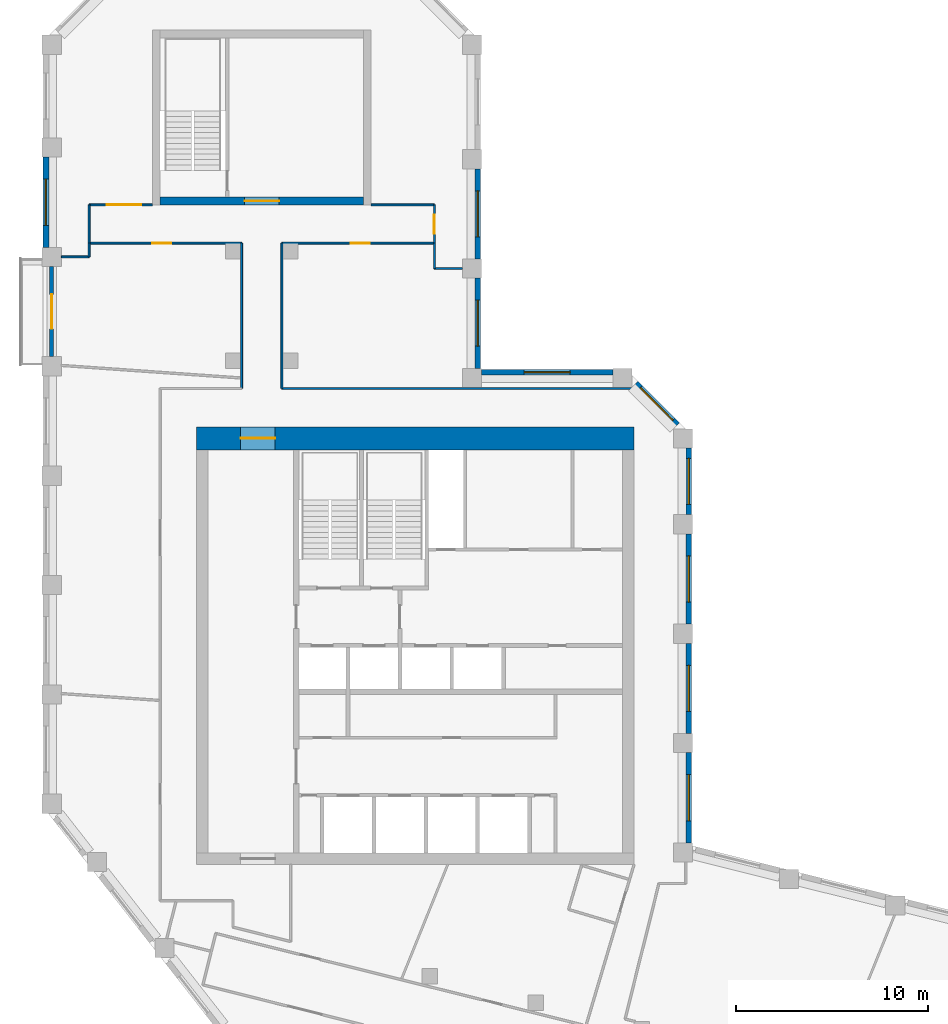
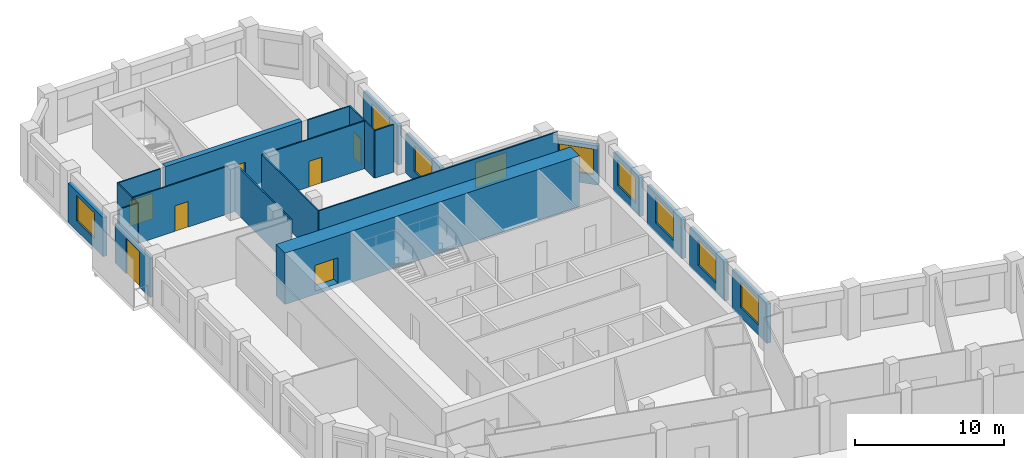
# One storey, part 6 of 9: 25 walls, 9 windows, 7 doors, 16 openings.
"""IFC4 building model written with IfcOpenShell, lengths in metres."""

from ifc_helpers import new_model, si_unit, direction, frame, frame_2d, origin, place, context, subcontext, project, spatial, rectangle, extrude, material, layer, layer_set, type_object, element, fill, save


model = new_model("IFC4")

# Units and contexts
model_context = context("Model", 3, precision=1e-05, world=origin(), true_north=direction((0.0, 1.0)))
body_context = subcontext(model_context, "Body", "Model", "MODEL_VIEW")
ifc_project = project(units=[si_unit("LENGTHUNIT", "METRE"), si_unit("AREAUNIT", "SQUARE_METRE"), si_unit("VOLUMEUNIT", "CUBIC_METRE"), si_unit("PLANEANGLEUNIT", "RADIAN"), si_unit("MASSUNIT", "GRAM", prefix="KILO")], contexts=[model_context])

# Site, building, storey
site_placement = place(None, origin())
site = spatial("IfcSite", under=ifc_project, at=site_placement, CompositionType="ELEMENT")
building_placement = place(site_placement, origin())
building = spatial("IfcBuilding", under=site, at=building_placement, Name="Meshkara Civic Tower", CompositionType="ELEMENT")
storey_placement = place(building_placement, frame((0.0, 0.0, 310.800048828125)))
storey = spatial("IfcBuildingStorey", under=building, at=storey_placement, Name="L71", CompositionType="ELEMENT", Elevation=310.800048828125)

# Wall, opening, door
ifc_material_1 = material(Name="Concrete C60", Category="concrete")
ifc_layer_1 = layer(ifc_material_1, 1.199951171875)
ifc_layer_set_1 = layer_set([ifc_layer_1], Name="Core ring wall 1200 C60")
wall_type_1 = type_object("IfcWallType", Name="Core ring wall 1200 C60", PredefinedType="SHEAR", material=ifc_layer_set_1)
wall_1_placement = place(storey_placement, frame((8.0, 36.300048828125, -0.300048828125), z_axis=(0.0, 0.0, 1.0), x_axis=(1.0, 0.0, 0.0)))
wall_1 = element("IfcWall", 1, at=wall_1_placement, inside=storey, type_object=wall_type_1, Name="L71-C002", PredefinedType="SHEAR", context=body_context, shape_type="SweptSolid", body=[
    extrude(rectangle(XDim=22.800048828125, YDim=1.199951171875, at=frame_2d((11.39990234375, 0.0))), origin(), (0.0, 0.0, 1.0), 4.199951171875),
])
opening_1_placement = place(wall_1_placement, frame((2.300048828125, 0.0, 0.300048828125)))
opening_1 = element("IfcOpeningElement", 2, at=opening_1_placement, cuts=wall_1, Name="Opening L71-K022", PredefinedType="OPENING", context=body_context, shape_type="SweptSolid", body=[
    extrude(rectangle(XDim=1.800048828125, YDim=2.10009765625, at=frame_2d((0.89990234375, 1.050048828125))), frame((0.0, 0.60986328125, 0.0), z_axis=(0.0, -1.0, 0.0), x_axis=(1.0, 0.0, 0.0)), (0.0, 0.0, 1.0), 1.219970703125),
])
ifc_material_2 = material(Name="Fire-rated door leaf in steel frame", Category="steel")
door_type_1 = type_object("IfcDoorType", Name="Core double door 1800 EI 60", OperationType="DOUBLE_DOOR_SINGLE_SWING", PredefinedType="DOOR", material=ifc_material_2)
door_1_placement = place(opening_1_placement, origin())
door_1 = element("IfcDoor", 3, at=door_1_placement, inside=storey, type_object=door_type_1, Name="L71-K022", OperationType="DOUBLE_DOOR_SINGLE_SWING", OverallHeight=2.10009765625, OverallWidth=1.800048828125, PredefinedType="DOOR", context=body_context, shape_type="SweptSolid", body=[
    extrude(rectangle(XDim=1.800048828125, YDim=2.10009765625, at=frame_2d((0.89990234375, 1.050048828125))), frame((0.0, 0.02490234375, 0.0), z_axis=(0.0, -1.0, 0.0), x_axis=(1.0, 0.0, 0.0)), (0.0, 0.0, 1.0), 0.050048828125),
])
fill(opening_1, door_1)

ifc_material_3 = material(Name="Corridor wall 100")
ifc_layer_2 = layer(ifc_material_3, 0.10009765625)
ifc_layer_set_2 = layer_set([ifc_layer_2], Name="Corridor wall 100")
wall_type_2 = type_object("IfcWallType", Name="Corridor wall 100", PredefinedType="PARTITIONING", material=ifc_layer_set_2)
wall_2_placement = place(storey_placement, frame((2.39990234375, 46.469970703125, 0.0), z_axis=(0.0, 0.0, 1.0), x_axis=(1.0, 0.0, 0.0)))
wall_2 = element("IfcWall", 4, at=wall_2_placement, inside=storey, type_object=wall_type_2, Name="L71-W001", PredefinedType="PARTITIONING", context=body_context, shape_type="SweptSolid", body=[
    extrude(rectangle(XDim=7.9501953125, YDim=0.10009765625, at=frame_2d((3.97509765625, 0.0))), origin(), (0.0, 0.0, 1.0), 3.89990234375),
])
opening_2_placement = place(wall_2_placement, frame((3.280029296875, 0.0, 0.0)))
opening_2 = element("IfcOpeningElement", 5, at=opening_2_placement, cuts=wall_2, Name="Opening L71-D014", PredefinedType="OPENING", context=body_context, shape_type="SweptSolid", body=[
    extrude(rectangle(XDim=1.0, YDim=2.10009765625, at=frame_2d((0.5, 1.050048828125))), frame((0.0, 0.06005859375, 0.0), z_axis=(0.0, -1.0, 0.0), x_axis=(1.0, 0.0, 0.0)), (0.0, 0.0, 1.0), 0.1201171875),
])
ifc_material_4 = material(Name="Door 1000 x 2100")
door_type_2 = type_object("IfcDoorType", Name="Door 1000 x 2100", OperationType="SINGLE_SWING_LEFT", PredefinedType="DOOR", material=ifc_material_4)
door_2_placement = place(opening_2_placement, origin())
door_2 = element("IfcDoor", 6, at=door_2_placement, inside=storey, type_object=door_type_2, Name="L71-D014", OperationType="SINGLE_SWING_RIGHT", OverallHeight=2.10009765625, OverallWidth=1.0, PredefinedType="DOOR", context=body_context, shape_type="SweptSolid", body=[
    extrude(rectangle(XDim=1.0, YDim=2.10009765625, at=frame_2d((0.5, 1.050048828125))), frame((0.0, 0.02490234375, 0.0), z_axis=(0.0, -1.0, 0.0), x_axis=(1.0, 0.0, 0.0)), (0.0, 0.0, 1.0), 0.050048828125),
])
fill(opening_2, door_2)

# Wall
wall_3_placement = place(storey_placement, frame((2.39990234375, 48.469970703125, 0.0), z_axis=(0.0, 0.0, 1.0), x_axis=(0.0, -1.0, 0.0)))
element("IfcWall", 7, at=wall_3_placement, inside=storey, type_object=wall_type_2, Name="L71-W002", PredefinedType="PARTITIONING", context=body_context, shape_type="SweptSolid", body=[
    extrude(rectangle(XDim=2.0, YDim=0.10009765625, at=frame_2d((1.0, 0.0))), origin(), (0.0, 0.0, 1.0), 3.89990234375),
])

# Wall, opening, door
wall_4_placement = place(storey_placement, frame((5.699951171875, 48.469970703125, 0.0), z_axis=(0.0, 0.0, 1.0), x_axis=(-1.0, 0.0, 0.0)))
wall_4 = element("IfcWall", 8, at=wall_4_placement, inside=storey, type_object=wall_type_2, Name="L71-W003", PredefinedType="PARTITIONING", context=body_context, shape_type="SweptSolid", body=[
    extrude(rectangle(XDim=3.300048828125, YDim=0.10009765625, at=frame_2d((1.64990234375, 0.0))), origin(), (0.0, 0.0, 1.0), 3.89990234375),
])
opening_3_placement = place(wall_4_placement, frame((0.580078125, 0.0, 0.0)))
opening_3 = element("IfcOpeningElement", 9, at=opening_3_placement, cuts=wall_4, Name="Opening L71-D017", PredefinedType="OPENING", context=body_context, shape_type="SweptSolid", body=[
    extrude(rectangle(XDim=1.800048828125, YDim=2.10009765625, at=frame_2d((0.89990234375, 1.050048828125))), frame((0.0, 0.06005859375, 0.0), z_axis=(0.0, -1.0, 0.0), x_axis=(1.0, 0.0, 0.0)), (0.0, 0.0, 1.0), 0.1201171875),
])
ifc_material_5 = material(Name="Door pair 1800 x 2100")
door_type_3 = type_object("IfcDoorType", Name="Door pair 1800 x 2100", OperationType="SINGLE_SWING_LEFT", PredefinedType="DOOR", material=ifc_material_5)
door_3_placement = place(opening_3_placement, origin())
door_3 = element("IfcDoor", 10, at=door_3_placement, inside=storey, type_object=door_type_3, Name="L71-D017", OperationType="DOUBLE_DOOR_SINGLE_SWING", OverallHeight=2.10009765625, OverallWidth=1.800048828125, PredefinedType="DOOR", context=body_context, shape_type="SweptSolid", body=[
    extrude(rectangle(XDim=1.800048828125, YDim=2.10009765625, at=frame_2d((0.89990234375, 1.050048828125))), frame((0.0, 0.02490234375, 0.0), z_axis=(0.0, -1.0, 0.0), x_axis=(1.0, 0.0, 0.0)), (0.0, 0.0, 1.0), 0.050048828125),
])
fill(opening_3, door_3)

# Walls
for number, where, z_axis, x_axis, name in (
    (11, (10.35009765625, 46.469970703125, 0.0), (0.0, 0.0, 1.0), (0.0, -1.0, 0.0), "L71-W012"),
    (12, (12.449951171875, 38.89990234375, 0.0), (0.0, 0.0, 1.0), (0.0, 1.0, 0.0), "L71-W013"),
):
    element("IfcWall", number, at=place(storey_placement, frame(where, z_axis=z_axis, x_axis=x_axis)), inside=storey, type_object=wall_type_2, Name=name, PredefinedType="PARTITIONING", context=body_context, shape_type="SweptSolid", body=[
        extrude(rectangle(XDim=7.570068359375, YDim=0.10009765625, at=frame_2d((3.78515625, 0.0))), origin(), (0.0, 0.0, 1.0), 3.89990234375),
    ])

# Wall, opening, door
wall_5_placement = place(storey_placement, frame((12.449951171875, 46.469970703125, 0.0), z_axis=(0.0, 0.0, 1.0), x_axis=(1.0, 0.0, 0.0)))
wall_5 = element("IfcWall", 13, at=wall_5_placement, inside=storey, type_object=wall_type_2, Name="L71-W014", PredefinedType="PARTITIONING", context=body_context, shape_type="SweptSolid", body=[
    extrude(rectangle(XDim=7.949951171875, YDim=0.10009765625, at=frame_2d((3.97509765625, 0.0))), origin(), (0.0, 0.0, 1.0), 3.89990234375),
])
opening_4_placement = place(wall_5_placement, frame((3.580078125, 0.0, 0.0)))
opening_4 = element("IfcOpeningElement", 14, at=opening_4_placement, cuts=wall_5, Name="Opening L71-D015", PredefinedType="OPENING", context=body_context, shape_type="SweptSolid", body=[
    extrude(rectangle(XDim=1.0, YDim=2.10009765625, at=frame_2d((0.5, 1.050048828125))), frame((0.0, 0.06005859375, 0.0), z_axis=(0.0, -1.0, 0.0), x_axis=(1.0, 0.0, 0.0)), (0.0, 0.0, 1.0), 0.1201171875),
])
door_4_placement = place(opening_4_placement, origin())
door_4 = element("IfcDoor", 15, at=door_4_placement, inside=storey, type_object=door_type_2, Name="L71-D015", OperationType="SINGLE_SWING_LEFT", OverallHeight=2.10009765625, OverallWidth=1.0, PredefinedType="DOOR", context=body_context, shape_type="SweptSolid", body=[
    extrude(rectangle(XDim=1.0, YDim=2.10009765625, at=frame_2d((0.5, 1.050048828125))), frame((0.0, 0.02490234375, 0.0), z_axis=(0.0, -1.0, 0.0), x_axis=(1.0, 0.0, 0.0)), (0.0, 0.0, 1.0), 0.050048828125),
])
fill(opening_4, door_4)

wall_6_placement = place(storey_placement, frame((20.39990234375, 46.469970703125, 0.0), z_axis=(0.0, 0.0, 1.0), x_axis=(0.0, 1.0, 0.0)))
wall_6 = element("IfcWall", 16, at=wall_6_placement, inside=storey, type_object=wall_type_2, Name="L71-W017", PredefinedType="PARTITIONING", context=body_context, shape_type="SweptSolid", body=[
    extrude(rectangle(XDim=2.0, YDim=0.10009765625, at=frame_2d((1.0, 0.0))), origin(), (0.0, 0.0, 1.0), 3.89990234375),
])
opening_5_placement = place(wall_6_placement, frame((0.47998046875, 0.0, 0.0)))
opening_5 = element("IfcOpeningElement", 17, at=opening_5_placement, cuts=wall_6, Name="Opening L71-D016", PredefinedType="OPENING", context=body_context, shape_type="SweptSolid", body=[
    extrude(rectangle(XDim=1.0, YDim=2.10009765625, at=frame_2d((0.5, 1.050048828125))), frame((0.0, 0.06005859375, 0.0), z_axis=(0.0, -1.0, 0.0), x_axis=(1.0, 0.0, 0.0)), (0.0, 0.0, 1.0), 0.1201171875),
])
door_5_placement = place(opening_5_placement, origin())
door_5 = element("IfcDoor", 18, at=door_5_placement, inside=storey, type_object=door_type_2, Name="L71-D016", OperationType="SINGLE_SWING_RIGHT", OverallHeight=2.10009765625, OverallWidth=1.0, PredefinedType="DOOR", context=body_context, shape_type="SweptSolid", body=[
    extrude(rectangle(XDim=1.0, YDim=2.10009765625, at=frame_2d((0.5, 1.050048828125))), frame((0.0, 0.02490234375, 0.0), z_axis=(0.0, -1.0, 0.0), x_axis=(1.0, 0.0, 0.0)), (0.0, 0.0, 1.0), 0.050048828125),
])
fill(opening_5, door_5)

# Walls
wall_7_placement = place(storey_placement, frame((20.39990234375, 48.469970703125, 0.0), z_axis=(0.0, 0.0, 1.0), x_axis=(-1.0, 0.0, 0.0)))
element("IfcWall", 19, at=wall_7_placement, inside=storey, type_object=wall_type_2, Name="L71-W018", PredefinedType="PARTITIONING", context=body_context, shape_type="SweptSolid", body=[
    extrude(rectangle(XDim=3.2998046875, YDim=0.10009765625, at=frame_2d((1.64990234375, 0.0))), origin(), (0.0, 0.0, 1.0), 3.89990234375),
])
wall_8_placement = place(storey_placement, frame((30.9560546875, 38.89990234375, 0.0), z_axis=(0.0, 0.0, 1.0), x_axis=(-1.0, 0.0, 0.0)))
element("IfcWall", 20, at=wall_8_placement, inside=storey, type_object=wall_type_2, Name="L71-W024", PredefinedType="PARTITIONING", context=body_context, shape_type="SweptSolid", body=[
    extrude(rectangle(XDim=18.506103515625, YDim=0.10009765625, at=frame_2d((9.2529296875, 0.0))), origin(), (0.0, 0.0, 1.0), 3.89990234375),
])

# Wall, opening, window
ifc_material_6 = material(Name="Insulated infill panel with bronze anodised aluminium cladding", Category="aluminium")
ifc_layer_3 = layer(ifc_material_6, 0.300048828125)
ifc_layer_set_3 = layer_set([ifc_layer_3], Name="EXTERNAL INFILL WALL 300")
wall_type_3 = type_object("IfcWallType", Name="EXTERNAL INFILL WALL 300", PredefinedType="SOLIDWALL", material=ifc_layer_set_3)
wall_9_placement = place(storey_placement, frame((33.64990234375, 15.218994140625, 0.0), z_axis=(0.0, 0.0, 1.0), x_axis=(0.0, 1.0, 0.0)))
wall_9 = element("IfcWall", 21, at=wall_9_placement, inside=storey, type_object=wall_type_3, Name="External wall", PredefinedType="SOLIDWALL", context=body_context, shape_type="SweptSolid", body=[
    extrude(rectangle(XDim=4.699951171875, YDim=0.300048828125, at=frame_2d((2.35009765625, 0.0))), origin(), (0.0, 0.0, 1.0), 3.199951171875),
])
opening_6_placement = place(wall_9_placement, frame((1.14990234375, 0.0, 0.800048828125)))
opening_6 = element("IfcOpeningElement", 22, at=opening_6_placement, cuts=wall_9, Name="Opening W7", PredefinedType="OPENING", context=body_context, shape_type="SweptSolid", body=[
    extrude(rectangle(XDim=2.39990234375, YDim=2.10009765625, at=frame_2d((1.199951171875, 1.050048828125))), frame((0.0, 0.159912109375, 0.0), z_axis=(0.0, -1.0, 0.0), x_axis=(1.0, 0.0, 0.0)), (0.0, 0.0, 1.0), 0.320068359375),
])
ifc_material_7 = material(Name="Tinted double glazing", Category="glass")
window_type = type_object("IfcWindowType", Name="WINDOW 2400x2100", PartitioningType="DOUBLE_PANEL_VERTICAL", PredefinedType="WINDOW", material=ifc_material_7)
window_1_placement = place(opening_6_placement, origin())
window_1 = element("IfcWindow", 23, at=window_1_placement, inside=storey, type_object=window_type, Name="Window", OverallHeight=2.10009765625, OverallWidth=2.39990234375, PartitioningType="DOUBLE_PANEL_VERTICAL", PredefinedType="WINDOW", context=body_context, shape_type="SweptSolid", body=[
    extrude(rectangle(XDim=2.39990234375, YDim=2.10009765625, at=frame_2d((1.199951171875, 1.050048828125))), frame((0.0, 0.030029296875, 0.0), z_axis=(0.0, -1.0, 0.0), x_axis=(1.0, 0.0, 0.0)), (0.0, 0.0, 1.0), 0.06005859375),
])
fill(opening_6, window_1)

wall_10_placement = place(storey_placement, frame((33.64990234375, 20.9189453125, 0.0), z_axis=(0.0, 0.0, 1.0), x_axis=(0.0, 1.0, 0.0)))
wall_10 = element("IfcWall", 24, at=wall_10_placement, inside=storey, type_object=wall_type_3, Name="External wall", PredefinedType="SOLIDWALL", context=body_context, shape_type="SweptSolid", body=[
    extrude(rectangle(XDim=4.699951171875, YDim=0.300048828125, at=frame_2d((2.35009765625, 0.0))), origin(), (0.0, 0.0, 1.0), 3.199951171875),
])
opening_7_placement = place(wall_10_placement, frame((1.14990234375, 0.0, 0.800048828125)))
opening_7 = element("IfcOpeningElement", 25, at=opening_7_placement, cuts=wall_10, Name="Opening W7", PredefinedType="OPENING", context=body_context, shape_type="SweptSolid", body=[
    extrude(rectangle(XDim=2.39990234375, YDim=2.10009765625, at=frame_2d((1.199951171875, 1.050048828125))), frame((0.0, 0.159912109375, 0.0), z_axis=(0.0, -1.0, 0.0), x_axis=(1.0, 0.0, 0.0)), (0.0, 0.0, 1.0), 0.320068359375),
])
window_2_placement = place(opening_7_placement, origin())
window_2 = element("IfcWindow", 26, at=window_2_placement, inside=storey, type_object=window_type, Name="Window", OverallHeight=2.10009765625, OverallWidth=2.39990234375, PartitioningType="DOUBLE_PANEL_VERTICAL", PredefinedType="WINDOW", context=body_context, shape_type="SweptSolid", body=[
    extrude(rectangle(XDim=2.39990234375, YDim=2.10009765625, at=frame_2d((1.199951171875, 1.050048828125))), frame((0.0, 0.030029296875, 0.0), z_axis=(0.0, -1.0, 0.0), x_axis=(1.0, 0.0, 0.0)), (0.0, 0.0, 1.0), 0.06005859375),
])
fill(opening_7, window_2)

wall_11_placement = place(storey_placement, frame((33.64990234375, 26.618896484375, 0.0), z_axis=(0.0, 0.0, 1.0), x_axis=(0.0, 1.0, 0.0)))
wall_11 = element("IfcWall", 27, at=wall_11_placement, inside=storey, type_object=wall_type_3, Name="External wall", PredefinedType="SOLIDWALL", context=body_context, shape_type="SweptSolid", body=[
    extrude(rectangle(XDim=4.7001953125, YDim=0.300048828125, at=frame_2d((2.35009765625, 0.0))), origin(), (0.0, 0.0, 1.0), 3.199951171875),
])
opening_8_placement = place(wall_11_placement, frame((1.14990234375, 0.0, 0.800048828125)))
opening_8 = element("IfcOpeningElement", 28, at=opening_8_placement, cuts=wall_11, Name="Opening W7", PredefinedType="OPENING", context=body_context, shape_type="SweptSolid", body=[
    extrude(rectangle(XDim=2.39990234375, YDim=2.10009765625, at=frame_2d((1.199951171875, 1.050048828125))), frame((0.0, 0.159912109375, 0.0), z_axis=(0.0, -1.0, 0.0), x_axis=(1.0, 0.0, 0.0)), (0.0, 0.0, 1.0), 0.320068359375),
])
window_3_placement = place(opening_8_placement, origin())
window_3 = element("IfcWindow", 29, at=window_3_placement, inside=storey, type_object=window_type, Name="Window", OverallHeight=2.10009765625, OverallWidth=2.39990234375, PartitioningType="DOUBLE_PANEL_VERTICAL", PredefinedType="WINDOW", context=body_context, shape_type="SweptSolid", body=[
    extrude(rectangle(XDim=2.39990234375, YDim=2.10009765625, at=frame_2d((1.199951171875, 1.050048828125))), frame((0.0, 0.030029296875, 0.0), z_axis=(0.0, -1.0, 0.0), x_axis=(1.0, 0.0, 0.0)), (0.0, 0.0, 1.0), 0.06005859375),
])
fill(opening_8, window_3)

wall_12_placement = place(storey_placement, frame((33.64990234375, 32.319091796875, 0.0), z_axis=(0.0, 0.0, 1.0), x_axis=(0.0, 1.0, 0.0)))
wall_12 = element("IfcWall", 30, at=wall_12_placement, inside=storey, type_object=wall_type_3, Name="External wall", PredefinedType="SOLIDWALL", context=body_context, shape_type="SweptSolid", body=[
    extrude(rectangle(XDim=3.474853515625, YDim=0.300048828125, at=frame_2d((1.7373046875, 0.0))), origin(), (0.0, 0.0, 1.0), 3.199951171875),
])
opening_9_placement = place(wall_12_placement, frame((0.5380859375, 0.0, 0.800048828125)))
opening_9 = element("IfcOpeningElement", 31, at=opening_9_placement, cuts=wall_12, Name="Opening W7", PredefinedType="OPENING", context=body_context, shape_type="SweptSolid", body=[
    extrude(rectangle(XDim=2.39990234375, YDim=2.10009765625, at=frame_2d((1.199951171875, 1.050048828125))), frame((0.0, 0.159912109375, 0.0), z_axis=(0.0, -1.0, 0.0), x_axis=(1.0, 0.0, 0.0)), (0.0, 0.0, 1.0), 0.320068359375),
])
window_4_placement = place(opening_9_placement, origin())
window_4 = element("IfcWindow", 32, at=window_4_placement, inside=storey, type_object=window_type, Name="Window", OverallHeight=2.10009765625, OverallWidth=2.39990234375, PartitioningType="DOUBLE_PANEL_VERTICAL", PredefinedType="WINDOW", context=body_context, shape_type="SweptSolid", body=[
    extrude(rectangle(XDim=2.39990234375, YDim=2.10009765625, at=frame_2d((1.199951171875, 1.050048828125))), frame((0.0, 0.030029296875, 0.0), z_axis=(0.0, -1.0, 0.0), x_axis=(1.0, 0.0, 0.0)), (0.0, 0.0, 1.0), 0.06005859375),
])
fill(opening_9, window_4)

wall_13_placement = place(storey_placement, frame((33.06201171875, 37.006103515625, 0.0), z_axis=(0.0, 0.0, 1.0), x_axis=(-0.707106781187, 0.707106781187, 0.0)))
wall_13 = element("IfcWall", 33, at=wall_13_placement, inside=storey, type_object=wall_type_3, Name="External wall", PredefinedType="SOLIDWALL", context=body_context, shape_type="SweptSolid", body=[
    extrude(rectangle(XDim=3.049072265625, YDim=0.300048828125, at=frame_2d((1.5244140625, 0.0))), origin(), (0.0, 0.0, 1.0), 3.199951171875),
])
opening_10_placement = place(wall_13_placement, frame((0.324951171875, 0.0, 0.800048828125)))
opening_10 = element("IfcOpeningElement", 34, at=opening_10_placement, cuts=wall_13, Name="Opening W7", PredefinedType="OPENING", context=body_context, shape_type="SweptSolid", body=[
    extrude(rectangle(XDim=2.39990234375, YDim=2.10009765625, at=frame_2d((1.199951171875, 1.050048828125))), frame((0.0, 0.159912109375, 0.0), z_axis=(0.0, -1.0, 0.0), x_axis=(1.0, 0.0, 0.0)), (0.0, 0.0, 1.0), 0.320068359375),
])
window_5_placement = place(opening_10_placement, origin())
window_5 = element("IfcWindow", 35, at=window_5_placement, inside=storey, type_object=window_type, Name="Window", OverallHeight=2.10009765625, OverallWidth=2.39990234375, PartitioningType="DOUBLE_PANEL_VERTICAL", PredefinedType="WINDOW", context=body_context, shape_type="SweptSolid", body=[
    extrude(rectangle(XDim=2.39990234375, YDim=2.10009765625, at=frame_2d((1.199951171875, 1.050048828125))), frame((0.0, 0.030029296875, 0.0), z_axis=(0.0, -1.0, 0.0), x_axis=(1.0, 0.0, 0.0)), (0.0, 0.0, 1.0), 0.06005859375),
])
fill(opening_10, window_5)

wall_14_placement = place(storey_placement, frame((29.694091796875, 39.75, 0.0), z_axis=(0.0, 0.0, 1.0), x_axis=(-1.0, 0.0, 0.0)))
wall_14 = element("IfcWall", 36, at=wall_14_placement, inside=storey, type_object=wall_type_3, Name="External wall", PredefinedType="SOLIDWALL", context=body_context, shape_type="SweptSolid", body=[
    extrude(rectangle(XDim=6.843994140625, YDim=0.300048828125, at=frame_2d((3.421875, 0.0))), origin(), (0.0, 0.0, 1.0), 3.199951171875),
])
opening_11_placement = place(wall_14_placement, frame((2.221923828125, 0.0, 0.800048828125)))
opening_11 = element("IfcOpeningElement", 37, at=opening_11_placement, cuts=wall_14, Name="Opening W7", PredefinedType="OPENING", context=body_context, shape_type="SweptSolid", body=[
    extrude(rectangle(XDim=2.39990234375, YDim=2.10009765625, at=frame_2d((1.199951171875, 1.050048828125))), frame((0.0, 0.159912109375, 0.0), z_axis=(0.0, -1.0, 0.0), x_axis=(1.0, 0.0, 0.0)), (0.0, 0.0, 1.0), 0.320068359375),
])
window_6_placement = place(opening_11_placement, origin())
window_6 = element("IfcWindow", 38, at=window_6_placement, inside=storey, type_object=window_type, Name="Window", OverallHeight=2.10009765625, OverallWidth=2.39990234375, PartitioningType="DOUBLE_PANEL_VERTICAL", PredefinedType="WINDOW", context=body_context, shape_type="SweptSolid", body=[
    extrude(rectangle(XDim=2.39990234375, YDim=2.10009765625, at=frame_2d((1.199951171875, 1.050048828125))), frame((0.0, 0.030029296875, 0.0), z_axis=(0.0, -1.0, 0.0), x_axis=(1.0, 0.0, 0.0)), (0.0, 0.0, 1.0), 0.06005859375),
])
fill(opening_11, window_6)

wall_15_placement = place(storey_placement, frame((22.64990234375, 39.949951171875, 0.0), z_axis=(0.0, 0.0, 1.0), x_axis=(0.0, 1.0, 0.0)))
wall_15 = element("IfcWall", 39, at=wall_15_placement, inside=storey, type_object=wall_type_3, Name="External wall", PredefinedType="SOLIDWALL", context=body_context, shape_type="SweptSolid", body=[
    extrude(rectangle(XDim=4.699951171875, YDim=0.300048828125, at=frame_2d((2.35009765625, 0.0))), origin(), (0.0, 0.0, 1.0), 3.199951171875),
])
opening_12_placement = place(wall_15_placement, frame((1.14990234375, 0.0, 0.800048828125)))
opening_12 = element("IfcOpeningElement", 40, at=opening_12_placement, cuts=wall_15, Name="Opening W7", PredefinedType="OPENING", context=body_context, shape_type="SweptSolid", body=[
    extrude(rectangle(XDim=2.39990234375, YDim=2.10009765625, at=frame_2d((1.199951171875, 1.050048828125))), frame((0.0, 0.159912109375, 0.0), z_axis=(0.0, -1.0, 0.0), x_axis=(1.0, 0.0, 0.0)), (0.0, 0.0, 1.0), 0.320068359375),
])
window_7_placement = place(opening_12_placement, origin())
window_7 = element("IfcWindow", 41, at=window_7_placement, inside=storey, type_object=window_type, Name="Window", OverallHeight=2.10009765625, OverallWidth=2.39990234375, PartitioningType="DOUBLE_PANEL_VERTICAL", PredefinedType="WINDOW", context=body_context, shape_type="SweptSolid", body=[
    extrude(rectangle(XDim=2.39990234375, YDim=2.10009765625, at=frame_2d((1.199951171875, 1.050048828125))), frame((0.0, 0.030029296875, 0.0), z_axis=(0.0, -1.0, 0.0), x_axis=(1.0, 0.0, 0.0)), (0.0, 0.0, 1.0), 0.06005859375),
])
fill(opening_12, window_7)

wall_16_placement = place(storey_placement, frame((22.64990234375, 45.64990234375, 0.0), z_axis=(0.0, 0.0, 1.0), x_axis=(0.0, 1.0, 0.0)))
wall_16 = element("IfcWall", 42, at=wall_16_placement, inside=storey, type_object=wall_type_3, Name="External wall", PredefinedType="SOLIDWALL", context=body_context, shape_type="SweptSolid", body=[
    extrude(rectangle(XDim=4.7001953125, YDim=0.300048828125, at=frame_2d((2.35009765625, 0.0))), origin(), (0.0, 0.0, 1.0), 3.199951171875),
])
opening_13_placement = place(wall_16_placement, frame((1.14990234375, 0.0, 0.800048828125)))
opening_13 = element("IfcOpeningElement", 43, at=opening_13_placement, cuts=wall_16, Name="Opening W7", PredefinedType="OPENING", context=body_context, shape_type="SweptSolid", body=[
    extrude(rectangle(XDim=2.39990234375, YDim=2.10009765625, at=frame_2d((1.199951171875, 1.050048828125))), frame((0.0, 0.159912109375, 0.0), z_axis=(0.0, -1.0, 0.0), x_axis=(1.0, 0.0, 0.0)), (0.0, 0.0, 1.0), 0.320068359375),
])
window_8_placement = place(opening_13_placement, origin())
window_8 = element("IfcWindow", 44, at=window_8_placement, inside=storey, type_object=window_type, Name="Window", OverallHeight=2.10009765625, OverallWidth=2.39990234375, PartitioningType="DOUBLE_PANEL_VERTICAL", PredefinedType="WINDOW", context=body_context, shape_type="SweptSolid", body=[
    extrude(rectangle(XDim=2.39990234375, YDim=2.10009765625, at=frame_2d((1.199951171875, 1.050048828125))), frame((0.0, 0.030029296875, 0.0), z_axis=(0.0, -1.0, 0.0), x_axis=(1.0, 0.0, 0.0)), (0.0, 0.0, 1.0), 0.06005859375),
])
fill(opening_13, window_8)

wall_17_placement = place(storey_placement, frame((0.14990234375, 50.955078125, 0.0), z_axis=(0.0, 0.0, 1.0), x_axis=(0.0, -1.0, 0.0)))
wall_17 = element("IfcWall", 45, at=wall_17_placement, inside=storey, type_object=wall_type_3, Name="External wall", PredefinedType="SOLIDWALL", context=body_context, shape_type="SweptSolid", body=[
    extrude(rectangle(XDim=4.7001953125, YDim=0.300048828125, at=frame_2d((2.35009765625, 0.0))), origin(), (0.0, 0.0, 1.0), 3.199951171875),
])
opening_14_placement = place(wall_17_placement, frame((1.14990234375, 0.0, 0.800048828125)))
opening_14 = element("IfcOpeningElement", 46, at=opening_14_placement, cuts=wall_17, Name="Opening W7", PredefinedType="OPENING", context=body_context, shape_type="SweptSolid", body=[
    extrude(rectangle(XDim=2.39990234375, YDim=2.10009765625, at=frame_2d((1.199951171875, 1.050048828125))), frame((0.0, 0.159912109375, 0.0), z_axis=(0.0, -1.0, 0.0), x_axis=(1.0, 0.0, 0.0)), (0.0, 0.0, 1.0), 0.320068359375),
])
window_9_placement = place(opening_14_placement, origin())
window_9 = element("IfcWindow", 47, at=window_9_placement, inside=storey, type_object=window_type, Name="Window", OverallHeight=2.10009765625, OverallWidth=2.39990234375, PartitioningType="DOUBLE_PANEL_VERTICAL", PredefinedType="WINDOW", context=body_context, shape_type="SweptSolid", body=[
    extrude(rectangle(XDim=2.39990234375, YDim=2.10009765625, at=frame_2d((1.199951171875, 1.050048828125))), frame((0.0, 0.030029296875, 0.0), z_axis=(0.0, -1.0, 0.0), x_axis=(1.0, 0.0, 0.0)), (0.0, 0.0, 1.0), 0.06005859375),
])
fill(opening_14, window_9)

# Wall, opening, door
ifc_material_8 = material(Name="Concrete C60", Category="concrete")
ifc_layer_4 = layer(ifc_material_8, 0.39990234375)
ifc_layer_set_4 = layer_set([ifc_layer_4], Name="End core ring wall 400 C60")
wall_type_4 = type_object("IfcWallType", Name="End core ring wall 400 C60", PredefinedType="SHEAR", material=ifc_layer_set_4)
wall_18_placement = place(storey_placement, frame((6.10009765625, 48.669921875, -0.300048828125), z_axis=(0.0, 0.0, 1.0), x_axis=(1.0, 0.0, 0.0)))
wall_18 = element("IfcWall", 48, at=wall_18_placement, inside=storey, type_object=wall_type_4, Name="L71-C029", PredefinedType="SHEAR", context=body_context, shape_type="SweptSolid", body=[
    extrude(rectangle(XDim=10.599853515625, YDim=0.39990234375, at=frame_2d((5.2998046875, 0.0))), origin(), (0.0, 0.0, 1.0), 4.199951171875),
])
opening_15_placement = place(wall_18_placement, frame((4.39990234375, 0.0, 0.300048828125)))
opening_15 = element("IfcOpeningElement", 49, at=opening_15_placement, cuts=wall_18, Name="Opening L71-K102", PredefinedType="OPENING", context=body_context, shape_type="SweptSolid", body=[
    extrude(rectangle(XDim=1.800048828125, YDim=2.10009765625, at=frame_2d((0.89990234375, 1.050048828125))), frame((0.0, 0.2099609375, 0.0), z_axis=(0.0, -1.0, 0.0), x_axis=(1.0, 0.0, 0.0)), (0.0, 0.0, 1.0), 0.419921875),
])
door_6_placement = place(opening_15_placement, origin())
door_6 = element("IfcDoor", 50, at=door_6_placement, inside=storey, type_object=door_type_1, Name="L71-K102", OperationType="DOUBLE_DOOR_SINGLE_SWING", OverallHeight=2.10009765625, OverallWidth=1.800048828125, PredefinedType="DOOR", context=body_context, shape_type="SweptSolid", body=[
    extrude(rectangle(XDim=1.800048828125, YDim=2.10009765625, at=frame_2d((0.89990234375, 1.050048828125))), frame((0.0, 0.02490234375, 0.0), z_axis=(0.0, -1.0, 0.0), x_axis=(1.0, 0.0, 0.0)), (0.0, 0.0, 1.0), 0.050048828125),
])
fill(opening_15, door_6)

ifc_material_9 = material(Name="Insulated infill panel with bronze anodised aluminium cladding", Category="aluminium")
ifc_layer_5 = layer(ifc_material_9, 0.199951171875)
ifc_layer_set_5 = layer_set([ifc_layer_5], Name="LOGGIA BACK WALL 200")
wall_type_5 = type_object("IfcWallType", Name="LOGGIA BACK WALL 200", PredefinedType="SOLIDWALL", material=ifc_layer_set_5)
wall_19_placement = place(storey_placement, frame((0.449951171875, 45.2548828125, 0.0), z_axis=(0.0, 0.0, 1.0), x_axis=(0.0, -1.0, 0.0)))
wall_19 = element("IfcWall", 51, at=wall_19_placement, inside=storey, type_object=wall_type_5, Name="Loggia wall", PredefinedType="SOLIDWALL", context=body_context, shape_type="SweptSolid", body=[
    extrude(rectangle(XDim=4.699951171875, YDim=0.199951171875, at=frame_2d((2.35009765625, 0.0))), origin(), (0.0, 0.0, 1.0), 3.199951171875),
])
opening_16_placement = place(wall_19_placement, frame((1.449951171875, 0.0, 0.0)))
opening_16 = element("IfcOpeningElement", 52, at=opening_16_placement, cuts=wall_19, Name="Opening L71-L001", PredefinedType="OPENING", context=body_context, shape_type="SweptSolid", body=[
    extrude(rectangle(XDim=1.800048828125, YDim=2.89990234375, at=frame_2d((0.89990234375, 1.449951171875))), frame((0.0, 0.10986328125, 0.0), z_axis=(0.0, -1.0, 0.0), x_axis=(1.0, 0.0, 0.0)), (0.0, 0.0, 1.0), 0.219970703125),
])
ifc_material_10 = material(Name="Tinted double glazing", Category="glass")
door_type_4 = type_object("IfcDoorType", Name="LOGGIA DOOR 1800x2900", OperationType="DOUBLE_DOOR_SINGLE_SWING", PredefinedType="DOOR", material=ifc_material_10)
door_7_placement = place(opening_16_placement, origin())
door_7 = element("IfcDoor", 53, at=door_7_placement, inside=storey, type_object=door_type_4, Name="L71-L001", OperationType="DOUBLE_DOOR_SINGLE_SWING", OverallHeight=2.89990234375, OverallWidth=1.800048828125, PredefinedType="DOOR", context=body_context, shape_type="SweptSolid", body=[
    extrude(rectangle(XDim=1.800048828125, YDim=2.89990234375, at=frame_2d((0.89990234375, 1.449951171875))), frame((0.0, 0.02490234375, 0.0), z_axis=(0.0, -1.0, 0.0), x_axis=(1.0, 0.0, 0.0)), (0.0, 0.0, 1.0), 0.050048828125),
])
fill(opening_16, door_7)

# Walls
ifc_material_11 = material(Name="Partition 100")
ifc_layer_6 = layer(ifc_material_11, 0.10009765625)
ifc_layer_set_6 = layer_set([ifc_layer_6], Name="Partition 100")
wall_type_6 = type_object("IfcWallType", Name="Partition 100", PredefinedType="PARTITIONING", material=ifc_layer_set_6)
wall_20_placement = place(storey_placement, frame((2.39990234375, 45.7548828125, 0.0), z_axis=(0.0, 0.0, 1.0), x_axis=(-1.0, 0.0, 0.0)))
element("IfcWall", 54, at=wall_20_placement, inside=storey, type_object=wall_type_6, Name="L71-W040", PredefinedType="PARTITIONING", context=body_context, shape_type="SweptSolid", body=[
    extrude(rectangle(XDim=1.449951171875, YDim=0.10009765625, at=frame_2d((0.72509765625, 0.0))), origin(), (0.0, 0.0, 1.0), 3.89990234375),
])
wall_21_placement = place(storey_placement, frame((2.39990234375, 46.47412109375, 0.0), z_axis=(0.0, 0.0, 1.0), x_axis=(0.0, -1.0, 0.0)))
element("IfcWall", 55, at=wall_21_placement, inside=storey, type_object=wall_type_6, Name="L71-W041", PredefinedType="PARTITIONING", context=body_context, shape_type="SweptSolid", body=[
    extrude(rectangle(XDim=0.71923828125, YDim=0.10009765625, at=frame_2d((0.359619140625, 0.0))), origin(), (0.0, 0.0, 1.0), 3.89990234375),
])
wall_22_placement = place(storey_placement, frame((20.39990234375, 45.14990234375, 0.0), z_axis=(0.0, 0.0, 1.0), x_axis=(0.0, 1.0, 0.0)))
element("IfcWall", 56, at=wall_22_placement, inside=storey, type_object=wall_type_6, Name="L71-W047", PredefinedType="PARTITIONING", context=body_context, shape_type="SweptSolid", body=[
    extrude(rectangle(XDim=1.32421875, YDim=0.10009765625, at=frame_2d((0.662109375, 0.0))), origin(), (0.0, 0.0, 1.0), 3.89990234375),
])
wall_23_placement = place(storey_placement, frame((21.85009765625, 45.14990234375, 0.0), z_axis=(0.0, 0.0, 1.0), x_axis=(-1.0, 0.0, 0.0)))
element("IfcWall", 57, at=wall_23_placement, inside=storey, type_object=wall_type_6, Name="L71-W048", PredefinedType="PARTITIONING", context=body_context, shape_type="SweptSolid", body=[
    extrude(rectangle(XDim=1.4501953125, YDim=0.10009765625, at=frame_2d((0.72509765625, 0.0))), origin(), (0.0, 0.0, 1.0), 3.89990234375),
])

save(model, "model.ifc")
